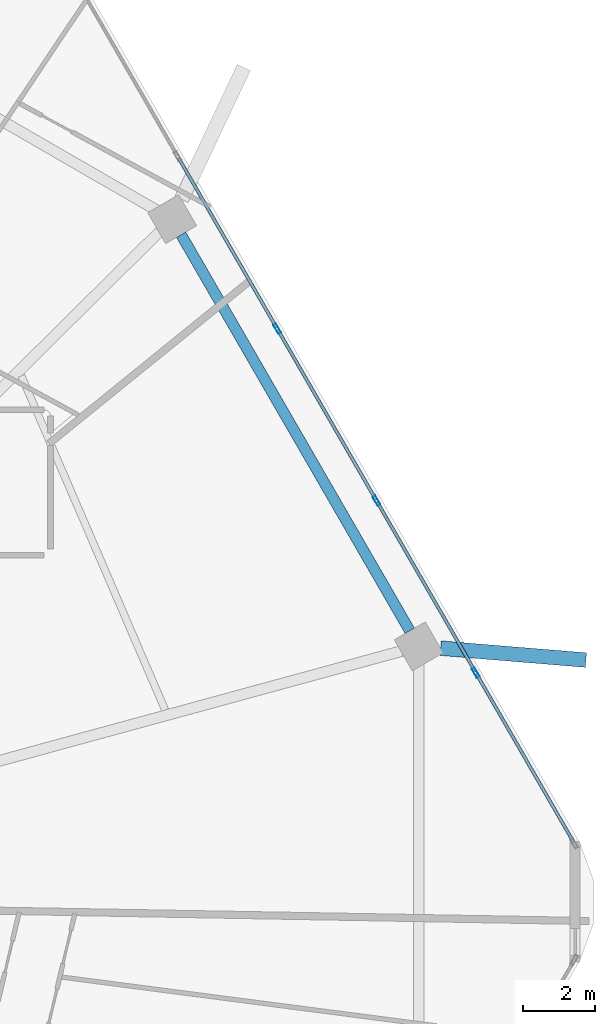
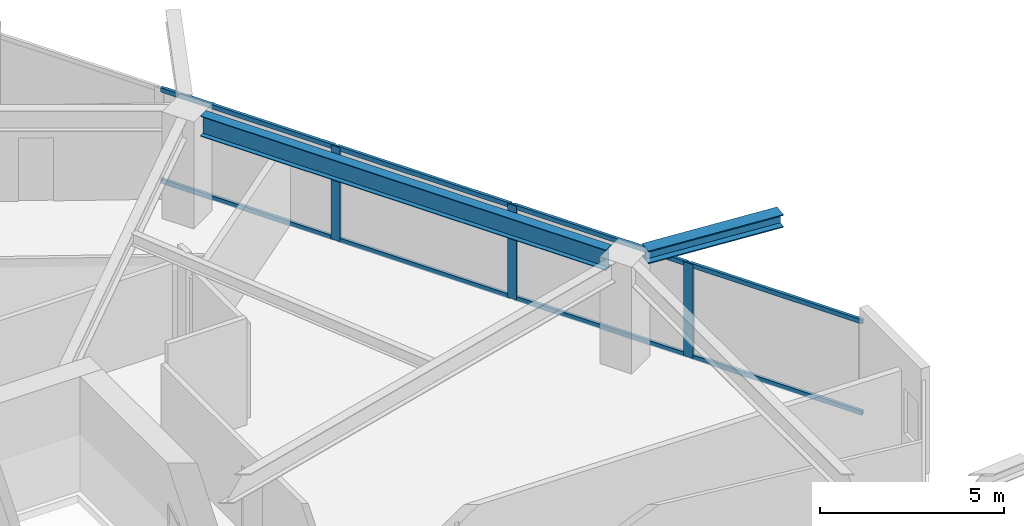
# One storey, part 16 of 27: 11 members, 2 beams, 1 element without a shape of its own.
"""IFC4 building model written with IfcOpenShell, lengths in metres."""

import ifcopenshell
import ifcopenshell.guid

model = None  # the IFC model being written
_history = None  # IfcOwnerHistory: only IFC2X3 demands one
_inside = {}  # id of a spatial element -> (the spatial element, [elements in it])
_under = {}  # id of a project, library or spatial element -> (it, [spatial elements below it])
_declared = {}  # id of a project -> (the project, [libraries it declares])
_typed = {}  # id of a type object -> (the type object, [elements of that type])
_made_of = {}  # id of a material, layer set ... -> (it, [elements and type objects made of it])


def new_model(schema):
    """Start an empty IFC model of exactly this schema.

    Asked for "IFC4X3", IfcOpenShell would pick the latest addendum, in which some entities
    have other attributes; the version numbers below select the first issue.
    IFC2X3 requires an IfcOwnerHistory on every rooted entity: one is made here for all.
    """
    global model, _history
    if schema == "IFC4X3":
        model = ifcopenshell.file(schema_version=(4, 3, 0, 0))
    else:
        model = ifcopenshell.file(schema=schema)
    _inside.clear()
    _under.clear()
    _declared.clear()
    _typed.clear()
    _made_of.clear()
    _history = None
    if model.schema == "IFC2X3":
        org = make("IfcOrganization", Name="unknown")
        user = make(
            "IfcPersonAndOrganization",
            ThePerson=make("IfcPerson", FamilyName="unknown"),
            TheOrganization=org,
        )
        app = make(
            "IfcApplication",
            ApplicationDeveloper=org,
            Version="unknown",
            ApplicationFullName="unknown",
            ApplicationIdentifier="unknown",
        )
        _history = make(
            "IfcOwnerHistory",
            OwningUser=user,
            OwningApplication=app,
            ChangeAction="ADDED",
            CreationDate=0,
        )
    return model


def make(cls, **values):
    """One entity of the class cls with the attributes given. An attribute that is None is left unset."""
    return model.create_entity(
        cls, **{name: value for name, value in values.items() if value is not None}
    )


def rooted(cls, **values):
    """An entity with a GlobalId (a new one), such as an element, a storey or a relation."""
    return make(cls, GlobalId=ifcopenshell.guid.new(), OwnerHistory=_history, **values)


def si_unit(unit_type, name, prefix=None):
    """IfcSIUnit, for example si_unit("LENGTHUNIT", "METRE", prefix="MILLI")."""
    return make("IfcSIUnit", UnitType=unit_type, Prefix=prefix, Name=name)


def assignment(units):
    """IfcUnitAssignment: the units of a project."""
    return None if units is None else make("IfcUnitAssignment", Units=units)


def point(xyz):
    """IfcCartesianPoint."""
    return None if xyz is None else make("IfcCartesianPoint", Coordinates=xyz)


def direction(xyz):
    """IfcDirection."""
    return None if xyz is None else make("IfcDirection", DirectionRatios=xyz)


def frame(location, z_axis=None, x_axis=None):
    """IfcAxis2Placement3D, a coordinate frame: its origin and axes. An axis left out is left unset."""
    return make(
        "IfcAxis2Placement3D",
        Location=point(location),
        Axis=direction(z_axis),
        RefDirection=direction(x_axis),
    )


def frame_2d(location, x_axis=None):
    """IfcAxis2Placement2D, a coordinate frame in the plane: its origin and x axis."""
    return make(
        "IfcAxis2Placement2D", Location=point(location), RefDirection=direction(x_axis)
    )


def origin():
    """The frame at (0, 0, 0) with its axes left unset."""
    return frame((0.0, 0.0, 0.0))


def origin_2d():
    """The frame at (0, 0) in the plane with its x axis left unset."""
    return frame_2d((0.0, 0.0))


def place(relative_to, where):
    """IfcLocalPlacement: puts the frame where relative to a parent placement (None: the world)."""
    return make(
        "IfcLocalPlacement", PlacementRelTo=relative_to, RelativePlacement=where
    )


def context(
    kind, dimensions, precision=None, world=None, true_north=None, identifier=None
):
    """IfcGeometricRepresentationContext, for example the 3D "Model" context."""
    return make(
        "IfcGeometricRepresentationContext",
        ContextIdentifier=identifier,
        ContextType=kind,
        CoordinateSpaceDimension=dimensions,
        Precision=precision,
        WorldCoordinateSystem=world,
        TrueNorth=true_north,
    )


def subcontext(parent, identifier, kind, view, scale=None):
    """IfcGeometricRepresentationSubContext, for example "Body" below "Model"."""
    return make(
        "IfcGeometricRepresentationSubContext",
        ContextIdentifier=identifier,
        ContextType=kind,
        ParentContext=parent,
        TargetScale=scale,
        TargetView=view,
    )


def project(units=None, contexts=None):
    """IfcProject with its units and contexts."""
    return rooted(
        "IfcProject",
        Name="project",
        RepresentationContexts=contexts,
        UnitsInContext=assignment(units),
    )


def spatial(cls, under=None, at=None, **own):
    """A site, building, storey or space (cls), placed at a placement, below another one or the project."""
    s = rooted(cls, ObjectPlacement=at, **own)
    if under is not None:
        _under.setdefault(under.id(), (under, []))[1].append(s)
    return s


def profile(cls, at=None, kind="AREA", **sizes):
    """A parametric profile (cls). Its sizes go by their IFC names, for example OverallWidth=200.0."""
    return make(cls, ProfileType=kind, Position=at, **sizes)


def hollow_rectangle(**sizes):
    """IfcRectangleHollowProfileDef."""
    return profile("IfcRectangleHollowProfileDef", **sizes)


def i_section(**sizes):
    """IfcIShapeProfileDef."""
    return profile("IfcIShapeProfileDef", **sizes)


def extrude(swept, where, along, depth):
    """IfcExtrudedAreaSolid: the profile swept, set in the frame where, extruded along a direction by depth."""
    return make(
        "IfcExtrudedAreaSolid",
        SweptArea=swept,
        Position=where,
        ExtrudedDirection=direction(along),
        Depth=depth,
    )


def shape(context_of_items, identifier, shape_type, items):
    """IfcShapeRepresentation: the items that make up one representation, for example the "Body"."""
    return make(
        "IfcShapeRepresentation",
        ContextOfItems=context_of_items,
        RepresentationIdentifier=identifier,
        RepresentationType=shape_type,
        Items=items,
    )


def material(Name=None, Category=None):
    """IfcMaterial."""
    return make("IfcMaterial", Name=Name, Category=Category)


def material_profile(
    of_material, cross_section, Name=None, Category=None, Priority=None
):
    """IfcMaterialProfile: a cross section and its material."""
    return make(
        "IfcMaterialProfile",
        Name=Name,
        Material=of_material,
        Profile=cross_section,
        Priority=Priority,
        Category=Category,
    )


def profile_set(profiles, Name=None, composite=None):
    """IfcMaterialProfileSet."""
    return make(
        "IfcMaterialProfileSet",
        Name=Name,
        MaterialProfiles=profiles,
        CompositeProfile=composite,
    )


def made_of(thing, what):
    """Note that an element or type object is made of a material, layer set ...; save() writes the relation."""
    if what is not None:
        _made_of.setdefault(what.id(), (what, []))[1].append(thing)
    return thing


def type_object(cls, material=None, **own):
    """A type object (cls), such as IfcWallType, which elements share."""
    return made_of(rooted(cls, **own), material)


def element(
    cls,
    number,
    at=None,
    inside=None,
    cuts=None,
    type_object=None,
    material=None,
    context=None,
    identifier="Body",
    shape_type=None,
    held_by="IfcProductDefinitionShape",
    body=None,
    shapes=None,
    **own,
):
    """One element of the class cls, such as IfcWall. Its Tag is "e" and its number.

    at: its placement. inside: the storey or other place that contains it. cuts: it is an
    opening in that element (IfcRelVoidsElement). A single representation is given by context,
    identifier, shape_type and body (its items); several are given by shapes. held_by: the class
    of the entity that holds the representations. save() writes the other relations.
    """
    e = rooted(cls, Tag="e%d" % number, ObjectPlacement=at, **own)
    if body is not None:
        shapes = [shape(context, identifier, shape_type, body)]
    if shapes is not None:
        e.Representation = make(held_by, Representations=shapes)
    if inside is not None:
        _inside.setdefault(inside.id(), (inside, []))[1].append(e)
    if cuts is not None:
        rooted(
            "IfcRelVoidsElement", RelatingBuildingElement=cuts, RelatedOpeningElement=e
        )
    if type_object is not None:
        _typed.setdefault(type_object.id(), (type_object, []))[1].append(e)
    return made_of(e, material)


def aggregate(whole, parts):
    """IfcRelAggregates: a whole, such as a stair, and the parts it consists of."""
    return rooted("IfcRelAggregates", RelatingObject=whole, RelatedObjects=parts)


def save(model, path):
    """Write the relations noted so far, then the file.

    IfcRelAggregates (storeys below a building ...), IfcRelContainedInSpatialStructure (elements
    in a storey), IfcRelDefinesByType, IfcRelAssociatesMaterial and IfcRelDeclares: one each for
    every whole, place, type object, material and project.
    """
    for whole, parts in _under.values():
        aggregate(whole, parts)
    for where, things in _inside.values():
        rooted(
            "IfcRelContainedInSpatialStructure",
            RelatedElements=things,
            RelatingStructure=where,
        )
    for kind, things in _typed.values():
        rooted("IfcRelDefinesByType", RelatedObjects=things, RelatingType=kind)
    for what, things in _made_of.values():
        rooted("IfcRelAssociatesMaterial", RelatedObjects=things, RelatingMaterial=what)
    for by, libraries in _declared.values():
        rooted("IfcRelDeclares", RelatingContext=by, RelatedDefinitions=libraries)
    model.write(path)


model = new_model("IFC4")

# Units and contexts
model_context = context("Model", 3, precision=1e-05, world=origin(), true_north=direction((0.0, 1.0)))
body_context = subcontext(model_context, "Body", "Model", "MODEL_VIEW")
ifc_project = project(units=[si_unit("LENGTHUNIT", "METRE"), si_unit("AREAUNIT", "SQUARE_METRE"), si_unit("VOLUMEUNIT", "CUBIC_METRE"), si_unit("PLANEANGLEUNIT", "RADIAN"), si_unit("MASSUNIT", "GRAM", prefix="KILO")], contexts=[model_context])

# Site, building, storey
site_placement = place(None, origin())
site = spatial("IfcSite", under=ifc_project, at=site_placement, CompositionType="ELEMENT")
building_placement = place(site_placement, origin())
building = spatial("IfcBuilding", under=site, at=building_placement, Name="Zuhravey Tower", CompositionType="ELEMENT")
storey_placement = place(building_placement, frame((0.0, 0.0, 173.199951171875)))
storey = spatial("IfcBuildingStorey", under=building, at=storey_placement, Name="L43", CompositionType="ELEMENT", Elevation=173.199951171875)

# Curtain wall, members
ifc_material_1 = material(Name="Thermally broken anodised aluminium", Category="aluminium")
curtain_wall_type = type_object("IfcCurtainWallType", Name="Zone 1-2 Residential Curtain Wall CW3", PredefinedType="NOTDEFINED", material=ifc_material_1)
curtain_wall_placement = place(storey_placement, origin())
curtain_wall = element("IfcCurtainWall", 1, at=curtain_wall_placement, inside=storey, type_object=curtain_wall_type, Name="L43 CW3 CW-L43-F1-1", PredefinedType="NOTDEFINED")
ifc_material_2 = material(Name="Anodised aluminium", Category="aluminium")
ifc_material_profile_1 = material_profile(ifc_material_2, hollow_rectangle(XDim=0.090087890625, YDim=0.284912109375, WallThickness=0.0048828125, at=origin_2d()), Name="ALU-RHS-90x285x5")
ifc_profile_set_1 = profile_set([ifc_material_profile_1], Name="Anodised aluminium")
member_type_1 = type_object("IfcMemberType", Name="Curtain-Wall Mullion 90x180", PredefinedType="MULLION", material=ifc_profile_set_1)
member_1_placement = place(storey_placement, frame((58.155029296875, 47.992431640625, 0.0), z_axis=(0.0, 0.0, 1.0), x_axis=(0.866025138215, 0.500000459979, 0.0)))
member_1 = element("IfcMember", 2, at=member_1_placement, type_object=member_type_1, Name="CW3 mullion 3", PredefinedType="MULLION", context=body_context, shape_type="SweptSolid", body=[
    extrude(hollow_rectangle(XDim=0.090087890625, YDim=0.284912109375, WallThickness=0.0048828125, at=origin_2d()), origin(), (0.0, 0.0, 1.0), 3.1220703125),
])
member_2_placement = place(storey_placement, frame((60.92724609375, 43.190673828125, 0.0), z_axis=(0.0, 0.0, 1.0), x_axis=(0.866025138215, 0.500000459979, 0.0)))
member_2 = element("IfcMember", 3, at=member_2_placement, type_object=member_type_1, Name="CW3 mullion 4", PredefinedType="MULLION", context=body_context, shape_type="SweptSolid", body=[
    extrude(hollow_rectangle(XDim=0.090087890625, YDim=0.284912109375, WallThickness=0.0048828125, at=origin_2d()), origin(), (0.0, 0.0, 1.0), 3.1220703125),
])
member_3_placement = place(storey_placement, frame((63.699462890625, 38.38916015625, 0.0), z_axis=(0.0, 0.0, 1.0), x_axis=(0.866025138215, 0.500000459979, 0.0)))
member_3 = element("IfcMember", 4, at=member_3_placement, type_object=member_type_1, Name="CW3 mullion 5", PredefinedType="MULLION", context=body_context, shape_type="SweptSolid", body=[
    extrude(hollow_rectangle(XDim=0.090087890625, YDim=0.284912109375, WallThickness=0.0048828125, at=origin_2d()), origin(), (0.0, 0.0, 1.0), 3.1220703125),
])
ifc_material_profile_2 = material_profile(ifc_material_2, hollow_rectangle(XDim=0.090087890625, YDim=0.14990234375, WallThickness=0.0048828125, at=origin_2d()), Name="ALU-RHS-90x150x5")
ifc_profile_set_2 = profile_set([ifc_material_profile_2], Name="Anodised aluminium")
member_type_2 = type_object("IfcMemberType", Name="Curtain-Wall Transom 90x150", PredefinedType="USERDEFINED", material=ifc_profile_set_2)
member_4_placement = place(storey_placement, frame((55.405517578125, 52.755126953125, 0.045166015625), z_axis=(0.49996138257, -0.86604769842, 0.0), x_axis=(0.86604769842, 0.49996138257, 0.0)))
member_4 = element("IfcMember", 5, at=member_4_placement, type_object=member_type_2, Name="CW3 transom 2.1", ObjectType="TRANSOM", PredefinedType="USERDEFINED", context=body_context, shape_type="SweptSolid", body=[
    extrude(hollow_rectangle(XDim=0.090087890625, YDim=0.14990234375, WallThickness=0.0048828125, at=origin_2d()), origin(), (0.0, 0.0, 1.0), 5.45458984375),
])
member_5_placement = place(storey_placement, frame((55.405517578125, 52.755126953125, 3.0771484375), z_axis=(0.49996138257, -0.86604769842, 0.0), x_axis=(0.86604769842, 0.49996138257, 0.0)))
member_5 = element("IfcMember", 6, at=member_5_placement, type_object=member_type_2, Name="CW3 transom 2.2", ObjectType="TRANSOM", PredefinedType="USERDEFINED", context=body_context, shape_type="SweptSolid", body=[
    extrude(hollow_rectangle(XDim=0.090087890625, YDim=0.14990234375, WallThickness=0.0048828125, at=origin_2d()), origin(), (0.0, 0.0, 1.0), 5.45458984375),
])
member_6_placement = place(storey_placement, frame((58.177734375, 47.953369140625, 0.045166015625), z_axis=(0.499980763544, -0.866036509673, 0.0), x_axis=(0.866036509673, 0.499980763544, 0.0)))
member_6 = element("IfcMember", 7, at=member_6_placement, type_object=member_type_2, Name="CW3 transom 3.1", ObjectType="TRANSOM", PredefinedType="USERDEFINED", context=body_context, shape_type="SweptSolid", body=[
    extrude(hollow_rectangle(XDim=0.090087890625, YDim=0.14990234375, WallThickness=0.0048828125, at=origin_2d()), origin(), (0.0, 0.0, 1.0), 5.454345703125),
])
member_7_placement = place(storey_placement, frame((58.177734375, 47.953369140625, 3.0771484375), z_axis=(0.499980763544, -0.866036509673, 0.0), x_axis=(0.866036509673, 0.499980763544, 0.0)))
member_7 = element("IfcMember", 8, at=member_7_placement, type_object=member_type_2, Name="CW3 transom 3.2", ObjectType="TRANSOM", PredefinedType="USERDEFINED", context=body_context, shape_type="SweptSolid", body=[
    extrude(hollow_rectangle(XDim=0.090087890625, YDim=0.14990234375, WallThickness=0.0048828125, at=origin_2d()), origin(), (0.0, 0.0, 1.0), 5.454345703125),
])
member_8_placement = place(storey_placement, frame((60.949951171875, 43.15185546875, 0.045166015625), z_axis=(0.49996138257, -0.86604769842, 0.0), x_axis=(0.86604769842, 0.49996138257, 0.0)))
member_8 = element("IfcMember", 9, at=member_8_placement, type_object=member_type_2, Name="CW3 transom 4.1", ObjectType="TRANSOM", PredefinedType="USERDEFINED", context=body_context, shape_type="SweptSolid", body=[
    extrude(hollow_rectangle(XDim=0.090087890625, YDim=0.14990234375, WallThickness=0.0048828125, at=origin_2d()), origin(), (0.0, 0.0, 1.0), 5.45458984375),
])
member_9_placement = place(storey_placement, frame((60.949951171875, 43.15185546875, 3.0771484375), z_axis=(0.49996138257, -0.86604769842, 0.0), x_axis=(0.86604769842, 0.49996138257, 0.0)))
member_9 = element("IfcMember", 10, at=member_9_placement, type_object=member_type_2, Name="CW3 transom 4.2", ObjectType="TRANSOM", PredefinedType="USERDEFINED", context=body_context, shape_type="SweptSolid", body=[
    extrude(hollow_rectangle(XDim=0.090087890625, YDim=0.14990234375, WallThickness=0.0048828125, at=origin_2d()), origin(), (0.0, 0.0, 1.0), 5.45458984375),
])
member_10_placement = place(storey_placement, frame((63.72216796875, 38.35009765625, 0.045166015625), z_axis=(0.499993332629, -0.866029253159, 0.0), x_axis=(0.866029253159, 0.499993332629, 0.0)))
member_10 = element("IfcMember", 11, at=member_10_placement, type_object=member_type_2, Name="CW3 transom 5.1", ObjectType="TRANSOM", PredefinedType="USERDEFINED", context=body_context, shape_type="SweptSolid", body=[
    extrude(hollow_rectangle(XDim=0.090087890625, YDim=0.14990234375, WallThickness=0.0048828125, at=origin_2d()), origin(), (0.0, 0.0, 1.0), 5.4091796875),
])
member_11_placement = place(storey_placement, frame((63.72216796875, 38.35009765625, 3.0771484375), z_axis=(0.499993332629, -0.866029253159, 0.0), x_axis=(0.866029253159, 0.499993332629, 0.0)))
member_11 = element("IfcMember", 12, at=member_11_placement, type_object=member_type_2, Name="CW3 transom 5.2", ObjectType="TRANSOM", PredefinedType="USERDEFINED", context=body_context, shape_type="SweptSolid", body=[
    extrude(hollow_rectangle(XDim=0.090087890625, YDim=0.14990234375, WallThickness=0.0048828125, at=origin_2d()), origin(), (0.0, 0.0, 1.0), 5.4091796875),
])
aggregate(curtain_wall, [member_1, member_2, member_3, member_4, member_5, member_6, member_7, member_8, member_9, member_10, member_11])

# Beams
ifc_material_3 = material(Name="Steel SM460", Category="steel")
ifc_material_profile_3 = material_profile(ifc_material_3, i_section(OverallWidth=0.406982421875, OverallDepth=0.427978515625, WebThickness=0.02001953125, FlangeThickness=0.034912109375, at=origin_2d()), Name="H-428x407x20x35")
ifc_profile_set_3 = profile_set([ifc_material_profile_3], Name="Steel SM460")
beam_type_1 = type_object("IfcBeamType", Name="Exoskeleton Node Tie Beam H428x407", PredefinedType="BEAM", material=ifc_profile_set_3)
beam_1_placement = place(storey_placement, frame((62.7177734375, 39.076416015625, 3.3359375), z_axis=(0.99663376745, -0.081982519953, 0.0), x_axis=(0.081982519953, 0.99663376745, 0.0)))
element("IfcBeam", 13, at=beam_1_placement, inside=storey, type_object=beam_type_1, Name="L43 Exoskeleton Node Tie NT1-01", PredefinedType="BEAM", context=body_context, shape_type="SweptSolid", body=[
    extrude(i_section(OverallWidth=0.406982421875, OverallDepth=0.427978515625, WebThickness=0.02001953125, FlangeThickness=0.034912109375, at=origin_2d()), origin(), (0.0, 0.0, 1.0), 4.06787109375),
])
ifc_material_4 = material(Name="Steel SM355", Category="steel")
ifc_material_profile_4 = material_profile(ifc_material_4, i_section(OverallWidth=0.300048828125, OverallDepth=0.679931640625, WebThickness=0.012939453125, FlangeThickness=0.02197265625, at=origin_2d()), Name="H-680x300x13x22")
ifc_profile_set_4 = profile_set([ifc_material_profile_4], Name="Steel SM355")
beam_type_2 = type_object("IfcBeamType", Name="Perimeter Ring Beam H680x300", PredefinedType="BEAM", material=ifc_profile_set_4)
beam_2_placement = place(storey_placement, frame((61.856201171875, 39.56201171875, 3.2099609375), z_axis=(-0.499997974489, 0.866026573211, 0.0), x_axis=(-0.866026573211, -0.499997974489, 0.0)))
element("IfcBeam", 14, at=beam_2_placement, inside=storey, type_object=beam_type_2, Name="L43 PB2 BM-L43-PB-01", PredefinedType="BEAM", context=body_context, shape_type="SweptSolid", body=[
    extrude(i_section(OverallWidth=0.300048828125, OverallDepth=0.679931640625, WebThickness=0.012939453125, FlangeThickness=0.02197265625, at=origin_2d()), origin(), (0.0, 0.0, 1.0), 12.75830078125),
])

save(model, "model.ifc")
